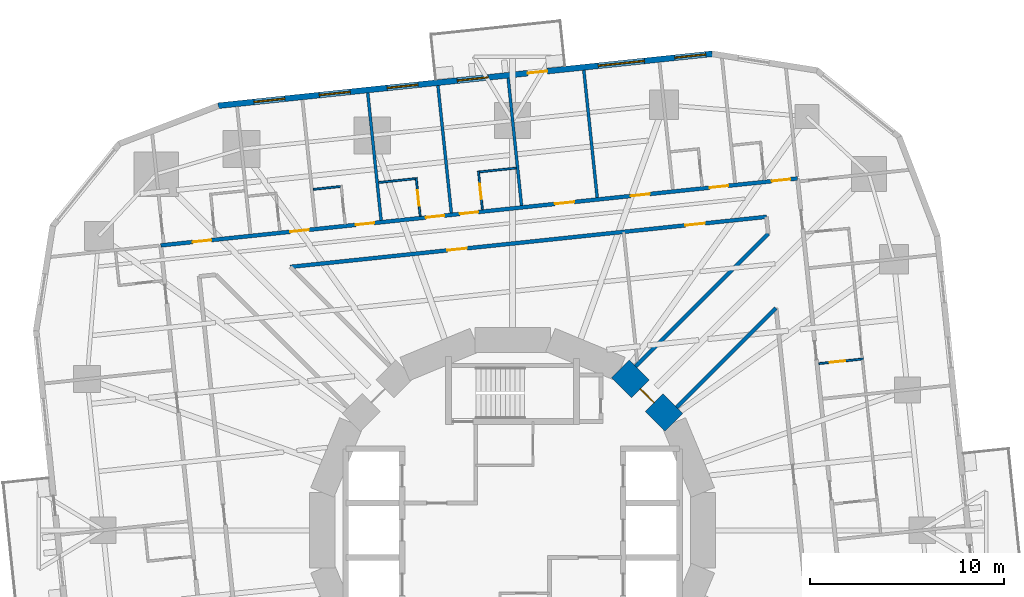
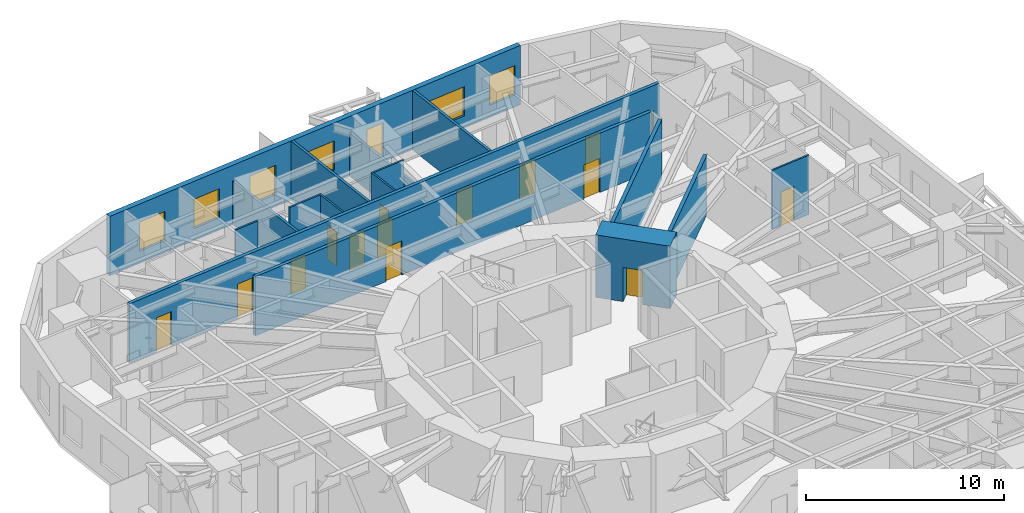
# One storey, part 10 of 13: 16 doors, 16 walls, 6 windows, 22 openings.
"""IFC4 building model written with IfcOpenShell, lengths in metres."""

from ifc_helpers import new_model, si_unit, direction, frame, frame_2d, origin, place, context, subcontext, project, spatial, rectangle, extrude, material, layer, layer_set, type_object, element, fill, save


model = new_model("IFC4")

# Units and contexts
model_context = context("Model", 3, precision=1e-05, world=origin(), true_north=direction((0.0, 1.0)))
body_context = subcontext(model_context, "Body", "Model", "MODEL_VIEW")
ifc_project = project(units=[si_unit("LENGTHUNIT", "METRE"), si_unit("AREAUNIT", "SQUARE_METRE"), si_unit("VOLUMEUNIT", "CUBIC_METRE"), si_unit("PLANEANGLEUNIT", "RADIAN"), si_unit("MASSUNIT", "GRAM", prefix="KILO")], contexts=[model_context])

# Site, building, storey
site_placement = place(None, origin())
site = spatial("IfcSite", under=ifc_project, at=site_placement, CompositionType="ELEMENT")
building_placement = place(site_placement, origin())
building = spatial("IfcBuilding", under=site, at=building_placement, Name="Nakasero Lantern House", CompositionType="ELEMENT")
storey_placement = place(building_placement, frame((0.0, 0.0, 75.89990234375)))
storey = spatial("IfcBuildingStorey", under=building, at=storey_placement, Name="L18", CompositionType="ELEMENT", Elevation=75.89990234375)

# Wall, opening, door
ifc_material_1 = material(Name="Concrete C50/60", Category="concrete")
ifc_layer_1 = layer(ifc_material_1, 1.300048828125)
ifc_layer_set_1 = layer_set([ifc_layer_1], Name="Core wall 1300")
wall_type_1 = type_object("IfcWallType", Name="Core wall 1300", PredefinedType="SHEAR", material=ifc_layer_set_1)
wall_1_placement = place(storey_placement, frame((8.314697265625, 5.5556640625, 0.0), z_axis=(0.0, 0.0, 1.0), x_axis=(-0.707106781187, 0.707106781187, 0.0)))
wall_1 = element("IfcWall", 1, at=wall_1_placement, inside=storey, type_object=wall_type_1, Name="Core wall L18 facet 2", PredefinedType="SHEAR", context=body_context, shape_type="SweptSolid", body=[
    extrude(rectangle(XDim=3.90185546875, YDim=1.300048828125, at=frame_2d((1.950927734375, 0.0))), origin(), (0.0, 0.0, 1.0), 3.85009765625),
])
opening_1_placement = place(wall_1_placement, frame((1.450927734375, 0.0, 0.0)))
opening_1 = element("IfcOpeningElement", 2, at=opening_1_placement, cuts=wall_1, Name="Opening D05", PredefinedType="OPENING", context=body_context, shape_type="SweptSolid", body=[
    extrude(rectangle(XDim=1.0, YDim=2.10009765625, at=frame_2d((0.5, 1.050048828125))), frame((0.0, 0.669921875, 0.0), z_axis=(0.0, -1.0, 0.0), x_axis=(1.0, 0.0, 0.0)), (0.0, 0.0, 1.0), 1.340087890625),
])
ifc_material_2 = material(Name="Timber C24", Category="wood")
door_type_1 = type_object("IfcDoorType", Name="Core door FD60S 1000", OperationType="SINGLE_SWING_LEFT", PredefinedType="DOOR", material=ifc_material_2)
door_1_placement = place(opening_1_placement, origin())
door_1 = element("IfcDoor", 3, at=door_1_placement, inside=storey, type_object=door_type_1, Name="Door L18 D-CORE02", OperationType="SINGLE_SWING_LEFT", OverallHeight=2.10009765625, OverallWidth=1.0, PredefinedType="DOOR", context=body_context, shape_type="SweptSolid", body=[
    extrude(rectangle(XDim=1.0, YDim=2.10009765625, at=frame_2d((0.5, 1.050048828125))), frame((0.0, 0.02490234375, 0.0), z_axis=(0.0, -1.0, 0.0), x_axis=(1.0, 0.0, 0.0)), (0.0, 0.0, 1.0), 0.050048828125),
])
fill(opening_1, door_1)

# Wall, openings, doors
ifc_material_3 = material(Name="Blockwork", Category="masonry")
ifc_layer_2 = layer(ifc_material_3, 0.199951171875)
ifc_layer_set_2 = layer_set([ifc_layer_2], Name="Corridor wall 200")
wall_type_2 = type_object("IfcWallType", Name="Corridor wall 200", PredefinedType="PARTITIONING", material=ifc_layer_set_2)
wall_2_placement = place(storey_placement, frame((14.684814453125, 18.13427734375, 0.0), z_axis=(0.0, 0.0, 1.0), x_axis=(-0.994521777723, -0.10452958258, 0.0)))
wall_2 = element("IfcWall", 4, at=wall_2_placement, inside=storey, type_object=wall_type_2, Name="Corridor wall L18 CW1", PredefinedType="PARTITIONING", context=body_context, shape_type="SweptSolid", body=[
    extrude(rectangle(XDim=32.999755859375, YDim=0.199951171875, at=frame_2d((16.5, 0.0))), origin(), (0.0, 0.0, 1.0), 3.650146484375),
])
opening_2_placement = place(wall_2_placement, frame((0.375, 0.0, 0.0)))
opening_2 = element("IfcOpeningElement", 5, at=opening_2_placement, cuts=wall_2, Name="Opening D01", PredefinedType="OPENING", context=body_context, shape_type="SweptSolid", body=[
    extrude(rectangle(XDim=0.949951171875, YDim=2.10009765625, at=frame_2d((0.47509765625, 1.050048828125))), frame((0.0, 0.119873046875, 0.0), z_axis=(0.0, -1.0, 0.0), x_axis=(1.0, 0.0, 0.0)), (0.0, 0.0, 1.0), 0.239990234375),
])
opening_3_placement = place(wall_2_placement, frame((3.600341796875, 0.0, 0.0)))
opening_3 = element("IfcOpeningElement", 6, at=opening_3_placement, cuts=wall_2, Name="Opening D01", PredefinedType="OPENING", context=body_context, shape_type="SweptSolid", body=[
    extrude(rectangle(XDim=0.949951171875, YDim=2.10009765625, at=frame_2d((0.47509765625, 1.050048828125))), frame((0.0, 0.119873046875, 0.0), z_axis=(0.0, -1.0, 0.0), x_axis=(1.0, 0.0, 0.0)), (0.0, 0.0, 1.0), 0.239990234375),
])
opening_4_placement = place(wall_2_placement, frame((16.542724609375, 0.0, 0.0)))
opening_4 = element("IfcOpeningElement", 7, at=opening_4_placement, cuts=wall_2, Name="Opening D01", PredefinedType="OPENING", context=body_context, shape_type="SweptSolid", body=[
    extrude(rectangle(XDim=0.949951171875, YDim=2.10009765625, at=frame_2d((0.47509765625, 1.050048828125))), frame((0.0, 0.119873046875, 0.0), z_axis=(0.0, -1.0, 0.0), x_axis=(1.0, 0.0, 0.0)), (0.0, 0.0, 1.0), 0.239990234375),
])
opening_5_placement = place(wall_2_placement, frame((18.306396484375, 0.0, 0.0)))
opening_5 = element("IfcOpeningElement", 8, at=opening_5_placement, cuts=wall_2, Name="Opening D01", PredefinedType="OPENING", context=body_context, shape_type="SweptSolid", body=[
    extrude(rectangle(XDim=0.949951171875, YDim=2.10009765625, at=frame_2d((0.47509765625, 1.050048828125))), frame((0.0, 0.119873046875, 0.0), z_axis=(0.0, -1.0, 0.0), x_axis=(1.0, 0.0, 0.0)), (0.0, 0.0, 1.0), 0.239990234375),
])
opening_6_placement = place(wall_2_placement, frame((21.945068359375, 0.0, 0.0)))
opening_6 = element("IfcOpeningElement", 9, at=opening_6_placement, cuts=wall_2, Name="Opening D01", PredefinedType="OPENING", context=body_context, shape_type="SweptSolid", body=[
    extrude(rectangle(XDim=0.949951171875, YDim=2.10009765625, at=frame_2d((0.47509765625, 1.050048828125))), frame((0.0, 0.119873046875, 0.0), z_axis=(0.0, -1.0, 0.0), x_axis=(1.0, 0.0, 0.0)), (0.0, 0.0, 1.0), 0.239990234375),
])
opening_7_placement = place(wall_2_placement, frame((25.33056640625, 0.0, 0.0)))
opening_7 = element("IfcOpeningElement", 10, at=opening_7_placement, cuts=wall_2, Name="Opening D01", PredefinedType="OPENING", context=body_context, shape_type="SweptSolid", body=[
    extrude(rectangle(XDim=0.949951171875, YDim=2.10009765625, at=frame_2d((0.47509765625, 1.050048828125))), frame((0.0, 0.119873046875, 0.0), z_axis=(0.0, -1.0, 0.0), x_axis=(1.0, 0.0, 0.0)), (0.0, 0.0, 1.0), 0.239990234375),
])
opening_8_placement = place(wall_2_placement, frame((30.39111328125, 0.0, 0.0)))
opening_8 = element("IfcOpeningElement", 11, at=opening_8_placement, cuts=wall_2, Name="Opening D01", PredefinedType="OPENING", context=body_context, shape_type="SweptSolid", body=[
    extrude(rectangle(XDim=0.949951171875, YDim=2.10009765625, at=frame_2d((0.47509765625, 1.050048828125))), frame((0.0, 0.119873046875, 0.0), z_axis=(0.0, -1.0, 0.0), x_axis=(1.0, 0.0, 0.0)), (0.0, 0.0, 1.0), 0.239990234375),
])
opening_9_placement = place(wall_2_placement, frame((7.650634765625, 0.0, 0.0)))
opening_9 = element("IfcOpeningElement", 12, at=opening_9_placement, cuts=wall_2, Name="Opening D03", PredefinedType="OPENING", context=body_context, shape_type="SweptSolid", body=[
    extrude(rectangle(XDim=1.0, YDim=2.10009765625, at=frame_2d((0.5, 1.050048828125))), frame((0.0, 0.119873046875, 0.0), z_axis=(0.0, -1.0, 0.0), x_axis=(1.0, 0.0, 0.0)), (0.0, 0.0, 1.0), 0.239990234375),
])
opening_10_placement = place(wall_2_placement, frame((11.57177734375, 0.0, 0.0)))
opening_10 = element("IfcOpeningElement", 13, at=opening_10_placement, cuts=wall_2, Name="Opening D03", PredefinedType="OPENING", context=body_context, shape_type="SweptSolid", body=[
    extrude(rectangle(XDim=1.0, YDim=2.10009765625, at=frame_2d((0.5, 1.050048828125))), frame((0.0, 0.119873046875, 0.0), z_axis=(0.0, -1.0, 0.0), x_axis=(1.0, 0.0, 0.0)), (0.0, 0.0, 1.0), 0.239990234375),
])
ifc_material_4 = material(Name="Timber C24", Category="wood")
door_type_2 = type_object("IfcDoorType", Name="Bedroom door FD30S 950", OperationType="SINGLE_SWING_LEFT", PredefinedType="DOOR", material=ifc_material_4)
door_2_placement = place(opening_2_placement, origin())
door_2 = element("IfcDoor", 14, at=door_2_placement, inside=storey, type_object=door_type_2, Name="Door L18 D1-00", OperationType="SINGLE_SWING_LEFT", OverallHeight=2.10009765625, OverallWidth=0.949951171875, PredefinedType="DOOR", context=body_context, shape_type="SweptSolid", body=[
    extrude(rectangle(XDim=0.949951171875, YDim=2.10009765625, at=frame_2d((0.47509765625, 1.050048828125))), frame((0.0, 0.02490234375, 0.0), z_axis=(0.0, -1.0, 0.0), x_axis=(1.0, 0.0, 0.0)), (0.0, 0.0, 1.0), 0.050048828125),
])
fill(opening_2, door_2)
door_3_placement = place(opening_3_placement, origin())
door_3 = element("IfcDoor", 15, at=door_3_placement, inside=storey, type_object=door_type_2, Name="Door L18 D1-01", OperationType="SINGLE_SWING_LEFT", OverallHeight=2.10009765625, OverallWidth=0.949951171875, PredefinedType="DOOR", context=body_context, shape_type="SweptSolid", body=[
    extrude(rectangle(XDim=0.949951171875, YDim=2.10009765625, at=frame_2d((0.47509765625, 1.050048828125))), frame((0.0, 0.02490234375, 0.0), z_axis=(0.0, -1.0, 0.0), x_axis=(1.0, 0.0, 0.0)), (0.0, 0.0, 1.0), 0.050048828125),
])
fill(opening_3, door_3)
door_4_placement = place(opening_4_placement, origin())
door_4 = element("IfcDoor", 16, at=door_4_placement, inside=storey, type_object=door_type_2, Name="Door L18 D1-04", OperationType="SINGLE_SWING_RIGHT", OverallHeight=2.10009765625, OverallWidth=0.949951171875, PredefinedType="DOOR", context=body_context, shape_type="SweptSolid", body=[
    extrude(rectangle(XDim=0.949951171875, YDim=2.10009765625, at=frame_2d((0.47509765625, 1.050048828125))), frame((0.0, 0.02490234375, 0.0), z_axis=(0.0, -1.0, 0.0), x_axis=(1.0, 0.0, 0.0)), (0.0, 0.0, 1.0), 0.050048828125),
])
fill(opening_4, door_4)
door_5_placement = place(opening_5_placement, origin())
door_5 = element("IfcDoor", 17, at=door_5_placement, inside=storey, type_object=door_type_2, Name="Door L18 D1-05", OperationType="SINGLE_SWING_RIGHT", OverallHeight=2.10009765625, OverallWidth=0.949951171875, PredefinedType="DOOR", context=body_context, shape_type="SweptSolid", body=[
    extrude(rectangle(XDim=0.949951171875, YDim=2.10009765625, at=frame_2d((0.47509765625, 1.050048828125))), frame((0.0, 0.02490234375, 0.0), z_axis=(0.0, -1.0, 0.0), x_axis=(1.0, 0.0, 0.0)), (0.0, 0.0, 1.0), 0.050048828125),
])
fill(opening_5, door_5)
door_6_placement = place(opening_6_placement, origin())
door_6 = element("IfcDoor", 18, at=door_6_placement, inside=storey, type_object=door_type_2, Name="Door L18 D1-06", OperationType="SINGLE_SWING_RIGHT", OverallHeight=2.10009765625, OverallWidth=0.949951171875, PredefinedType="DOOR", context=body_context, shape_type="SweptSolid", body=[
    extrude(rectangle(XDim=0.949951171875, YDim=2.10009765625, at=frame_2d((0.47509765625, 1.050048828125))), frame((0.0, 0.02490234375, 0.0), z_axis=(0.0, -1.0, 0.0), x_axis=(1.0, 0.0, 0.0)), (0.0, 0.0, 1.0), 0.050048828125),
])
fill(opening_6, door_6)
door_7_placement = place(opening_7_placement, origin())
door_7 = element("IfcDoor", 19, at=door_7_placement, inside=storey, type_object=door_type_2, Name="Door L18 D1-07", OperationType="SINGLE_SWING_RIGHT", OverallHeight=2.10009765625, OverallWidth=0.949951171875, PredefinedType="DOOR", context=body_context, shape_type="SweptSolid", body=[
    extrude(rectangle(XDim=0.949951171875, YDim=2.10009765625, at=frame_2d((0.47509765625, 1.050048828125))), frame((0.0, 0.02490234375, 0.0), z_axis=(0.0, -1.0, 0.0), x_axis=(1.0, 0.0, 0.0)), (0.0, 0.0, 1.0), 0.050048828125),
])
fill(opening_7, door_7)
door_8_placement = place(opening_8_placement, origin())
door_8 = element("IfcDoor", 20, at=door_8_placement, inside=storey, type_object=door_type_2, Name="Door L18 D1-08", OperationType="SINGLE_SWING_RIGHT", OverallHeight=2.10009765625, OverallWidth=0.949951171875, PredefinedType="DOOR", context=body_context, shape_type="SweptSolid", body=[
    extrude(rectangle(XDim=0.949951171875, YDim=2.10009765625, at=frame_2d((0.47509765625, 1.050048828125))), frame((0.0, 0.02490234375, 0.0), z_axis=(0.0, -1.0, 0.0), x_axis=(1.0, 0.0, 0.0)), (0.0, 0.0, 1.0), 0.050048828125),
])
fill(opening_8, door_8)
ifc_material_5 = material(Name="Timber C24", Category="wood")
door_type_3 = type_object("IfcDoorType", Name="Lounge door FD30S 1000", OperationType="SINGLE_SWING_LEFT", PredefinedType="DOOR", material=ifc_material_5)
door_9_placement = place(opening_9_placement, origin())
door_9 = element("IfcDoor", 21, at=door_9_placement, inside=storey, type_object=door_type_3, Name="Door L18 DK1", OperationType="SINGLE_SWING_LEFT", OverallHeight=2.10009765625, OverallWidth=1.0, PredefinedType="DOOR", context=body_context, shape_type="SweptSolid", body=[
    extrude(rectangle(XDim=1.0, YDim=2.10009765625, at=frame_2d((0.5, 1.050048828125))), frame((0.0, 0.02490234375, 0.0), z_axis=(0.0, -1.0, 0.0), x_axis=(1.0, 0.0, 0.0)), (0.0, 0.0, 1.0), 0.050048828125),
])
fill(opening_9, door_9)
door_10_placement = place(opening_10_placement, origin())
door_10 = element("IfcDoor", 22, at=door_10_placement, inside=storey, type_object=door_type_3, Name="Door L18 DK1-1", OperationType="SINGLE_SWING_LEFT", OverallHeight=2.10009765625, OverallWidth=1.0, PredefinedType="DOOR", context=body_context, shape_type="SweptSolid", body=[
    extrude(rectangle(XDim=1.0, YDim=2.10009765625, at=frame_2d((0.5, 1.050048828125))), frame((0.0, 0.02490234375, 0.0), z_axis=(0.0, -1.0, 0.0), x_axis=(1.0, 0.0, 0.0)), (0.0, 0.0, 1.0), 0.050048828125),
])
fill(opening_10, door_10)

wall_3_placement = place(storey_placement, frame((13.0830078125, 16.156005859375, 0.0), z_axis=(0.0, 0.0, 1.0), x_axis=(-0.994521922819, -0.104528202096, 0.0)))
wall_3 = element("IfcWall", 23, at=wall_3_placement, inside=storey, type_object=wall_type_2, Name="Corridor wall L18 IW1-0", PredefinedType="PARTITIONING", context=body_context, shape_type="SweptSolid", body=[
    extrude(rectangle(XDim=24.673828125, YDim=0.199951171875, at=frame_2d((12.3369140625, 0.0))), origin(), (0.0, 0.0, 1.0), 3.650146484375),
])
opening_11_placement = place(wall_3_placement, frame((3.201171875, 0.0, 0.0)))
opening_11 = element("IfcOpeningElement", 24, at=opening_11_placement, cuts=wall_3, Name="Opening D07", PredefinedType="OPENING", context=body_context, shape_type="SweptSolid", body=[
    extrude(rectangle(XDim=1.0, YDim=2.10009765625, at=frame_2d((0.5, 1.050048828125))), frame((0.0, 0.119873046875, 0.0), z_axis=(0.0, -1.0, 0.0), x_axis=(1.0, 0.0, 0.0)), (0.0, 0.0, 1.0), 0.239990234375),
])
opening_12_placement = place(wall_3_placement, frame((15.537841796875, 0.0, 0.0)))
opening_12 = element("IfcOpeningElement", 25, at=opening_12_placement, cuts=wall_3, Name="Opening D07", PredefinedType="OPENING", context=body_context, shape_type="SweptSolid", body=[
    extrude(rectangle(XDim=1.0, YDim=2.10009765625, at=frame_2d((0.5, 1.050048828125))), frame((0.0, 0.119873046875, 0.0), z_axis=(0.0, -1.0, 0.0), x_axis=(1.0, 0.0, 0.0)), (0.0, 0.0, 1.0), 0.239990234375),
])
ifc_material_6 = material(Name="Timber C24", Category="wood")
door_type_4 = type_object("IfcDoorType", Name="Room door FD30S 1000", OperationType="SINGLE_SWING_LEFT", PredefinedType="DOOR", material=ifc_material_6)
door_11_placement = place(opening_11_placement, origin())
door_11 = element("IfcDoor", 26, at=door_11_placement, inside=storey, type_object=door_type_4, Name="Door L18 DI3", OperationType="SINGLE_SWING_LEFT", OverallHeight=2.10009765625, OverallWidth=1.0, PredefinedType="DOOR", context=body_context, shape_type="SweptSolid", body=[
    extrude(rectangle(XDim=1.0, YDim=2.10009765625, at=frame_2d((0.5, 1.050048828125))), frame((0.0, 0.02490234375, 0.0), z_axis=(0.0, -1.0, 0.0), x_axis=(1.0, 0.0, 0.0)), (0.0, 0.0, 1.0), 0.050048828125),
])
fill(opening_11, door_11)
door_12_placement = place(opening_12_placement, origin())
door_12 = element("IfcDoor", 27, at=door_12_placement, inside=storey, type_object=door_type_4, Name="Door L18 DI3S", OperationType="SINGLE_SWING_RIGHT", OverallHeight=2.10009765625, OverallWidth=1.0, PredefinedType="DOOR", context=body_context, shape_type="SweptSolid", body=[
    extrude(rectangle(XDim=1.0, YDim=2.10009765625, at=frame_2d((0.5, 1.050048828125))), frame((0.0, 0.02490234375, 0.0), z_axis=(0.0, -1.0, 0.0), x_axis=(1.0, 0.0, 0.0)), (0.0, 0.0, 1.0), 0.050048828125),
])
fill(opening_12, door_12)

# Walls
wall_4_placement = place(storey_placement, frame((6.334228515625, 8.45556640625, 0.0), z_axis=(0.0, 0.0, 1.0), x_axis=(0.707106781187, 0.707106781187, 0.0)))
element("IfcWall", 28, at=wall_4_placement, inside=storey, type_object=wall_type_2, Name="Corridor wall L18 PS02a", PredefinedType="PARTITIONING", context=body_context, shape_type="SweptSolid", body=[
    extrude(rectangle(XDim=9.671875, YDim=0.199951171875, at=frame_2d((4.8359375, 0.0))), origin(), (0.0, 0.0, 1.0), 3.650146484375),
])
wall_5_placement = place(storey_placement, frame((8.45556640625, 6.334228515625, 0.0), z_axis=(0.0, 0.0, 1.0), x_axis=(0.707106781187, 0.707106781187, 0.0)))
element("IfcWall", 29, at=wall_5_placement, inside=storey, type_object=wall_type_2, Name="Corridor wall L18 PS02b", PredefinedType="PARTITIONING", context=body_context, shape_type="SweptSolid", body=[
    extrude(rectangle(XDim=7.24267578125, YDim=0.199951171875, at=frame_2d((3.621337890625, 0.0))), origin(), (0.0, 0.0, 1.0), 3.650146484375),
])

# Wall, opening, door
ifc_material_7 = material(Name="Blockwork", Category="masonry")
ifc_layer_3 = layer(ifc_material_7, 0.10009765625)
ifc_layer_set_3 = layer_set([ifc_layer_3], Name="En-suite wall 100")
wall_type_3 = type_object("IfcWallType", Name="En-suite wall 100", PredefinedType="PARTITIONING", material=ifc_layer_set_3)
wall_6_placement = place(storey_placement, frame((15.788330078125, 8.592529296875, 0.0), z_axis=(0.0, 0.0, 1.0), x_axis=(0.994529855142, 0.104452703326, 0.0)))
wall_6 = element("IfcWall", 30, at=wall_6_placement, inside=storey, type_object=wall_type_3, Name="En-suite wall L18 ES0-06", PredefinedType="PARTITIONING", context=body_context, shape_type="SweptSolid", body=[
    extrude(rectangle(XDim=2.300048828125, YDim=0.10009765625, at=frame_2d((1.14990234375, 0.0))), origin(), (0.0, 0.0, 1.0), 3.650146484375),
])
opening_13_placement = place(wall_6_placement, frame((0.550048828125, 0.0, 0.0)))
opening_13 = element("IfcOpeningElement", 31, at=opening_13_placement, cuts=wall_6, Name="Opening D02", PredefinedType="OPENING", context=body_context, shape_type="SweptSolid", body=[
    extrude(rectangle(XDim=0.800048828125, YDim=2.10009765625, at=frame_2d((0.39990234375, 1.050048828125))), frame((0.0, 0.070068359375, 0.0), z_axis=(0.0, -1.0, 0.0), x_axis=(1.0, 0.0, 0.0)), (0.0, 0.0, 1.0), 0.14013671875),
])
ifc_material_8 = material(Name="Timber C24", Category="wood")
door_type_5 = type_object("IfcDoorType", Name="En-suite door 800", OperationType="SINGLE_SWING_RIGHT", PredefinedType="DOOR", material=ifc_material_8)
door_13_placement = place(opening_13_placement, origin())
door_13 = element("IfcDoor", 32, at=door_13_placement, inside=storey, type_object=door_type_5, Name="Door L18 DE0-06", OperationType="SINGLE_SWING_LEFT", OverallHeight=2.10009765625, OverallWidth=0.800048828125, PredefinedType="DOOR", context=body_context, shape_type="SweptSolid", body=[
    extrude(rectangle(XDim=0.800048828125, YDim=2.10009765625, at=frame_2d((0.39990234375, 1.050048828125))), frame((0.0, 0.02490234375, 0.0), z_axis=(0.0, -1.0, 0.0), x_axis=(1.0, 0.0, 0.0)), (0.0, 0.0, 1.0), 0.050048828125),
])
fill(opening_13, door_13)

wall_7_placement = place(storey_placement, frame((-1.553955078125, 16.528076171875, 0.0), z_axis=(0.0, 0.0, 1.0), x_axis=(-0.104494148666, 0.99452550138, 0.0)))
wall_7 = element("IfcWall", 33, at=wall_7_placement, inside=storey, type_object=wall_type_3, Name="En-suite wall L18 ES1-04", PredefinedType="PARTITIONING", context=body_context, shape_type="SweptSolid", body=[
    extrude(rectangle(XDim=2.0, YDim=0.10009765625, at=frame_2d((1.0, 0.0))), origin(), (0.0, 0.0, 1.0), 3.650146484375),
])
opening_14_placement = place(wall_7_placement, frame((0.550048828125, 0.0, 0.0)))
opening_14 = element("IfcOpeningElement", 34, at=opening_14_placement, cuts=wall_7, Name="Opening D02", PredefinedType="OPENING", context=body_context, shape_type="SweptSolid", body=[
    extrude(rectangle(XDim=0.800048828125, YDim=2.10009765625, at=frame_2d((0.39990234375, 1.050048828125))), frame((0.0, 0.070068359375, 0.0), z_axis=(0.0, -1.0, 0.0), x_axis=(1.0, 0.0, 0.0)), (0.0, 0.0, 1.0), 0.14013671875),
])
door_14_placement = place(opening_14_placement, origin())
door_14 = element("IfcDoor", 35, at=door_14_placement, inside=storey, type_object=door_type_5, Name="Door L18 DE1-04", OperationType="SINGLE_SWING_LEFT", OverallHeight=2.10009765625, OverallWidth=0.800048828125, PredefinedType="DOOR", context=body_context, shape_type="SweptSolid", body=[
    extrude(rectangle(XDim=0.800048828125, YDim=2.10009765625, at=frame_2d((0.39990234375, 1.050048828125))), frame((0.0, 0.02490234375, 0.0), z_axis=(0.0, -1.0, 0.0), x_axis=(1.0, 0.0, 0.0)), (0.0, 0.0, 1.0), 0.050048828125),
])
fill(opening_14, door_14)

# Wall
wall_8_placement = place(storey_placement, frame((0.181396484375, 18.671142578125, 0.0), z_axis=(0.0, 0.0, 1.0), x_axis=(-0.994527260141, -0.104477408256, 0.0)))
element("IfcWall", 36, at=wall_8_placement, inside=storey, type_object=wall_type_3, Name="En-suite wall L18 EE1-04", PredefinedType="PARTITIONING", context=body_context, shape_type="SweptSolid", body=[
    extrude(rectangle(XDim=1.89990234375, YDim=0.10009765625, at=frame_2d((0.949951171875, 0.0))), origin(), (0.0, 0.0, 1.0), 3.650146484375),
])

# Wall, opening, door
wall_9_placement = place(storey_placement, frame((-4.763427734375, 16.190673828125, 0.0), z_axis=(0.0, 0.0, 1.0), x_axis=(-0.104602187203, 0.994514143908, 0.0)))
wall_9 = element("IfcWall", 37, at=wall_9_placement, inside=storey, type_object=wall_type_3, Name="En-suite wall L18 ES1-05", PredefinedType="PARTITIONING", context=body_context, shape_type="SweptSolid", body=[
    extrude(rectangle(XDim=2.000244140625, YDim=0.10009765625, at=frame_2d((1.0, 0.0))), origin(), (0.0, 0.0, 1.0), 3.650146484375),
])
opening_15_placement = place(wall_9_placement, frame((0.550048828125, 0.0, 0.0)))
opening_15 = element("IfcOpeningElement", 38, at=opening_15_placement, cuts=wall_9, Name="Opening D02", PredefinedType="OPENING", context=body_context, shape_type="SweptSolid", body=[
    extrude(rectangle(XDim=0.800048828125, YDim=2.10009765625, at=frame_2d((0.39990234375, 1.050048828125))), frame((0.0, 0.070068359375, 0.0), z_axis=(0.0, -1.0, 0.0), x_axis=(1.0, 0.0, 0.0)), (0.0, 0.0, 1.0), 0.14013671875),
])
door_15_placement = place(opening_15_placement, origin())
door_15 = element("IfcDoor", 39, at=door_15_placement, inside=storey, type_object=door_type_5, Name="Door L18 DE1-05", OperationType="SINGLE_SWING_LEFT", OverallHeight=2.10009765625, OverallWidth=0.800048828125, PredefinedType="DOOR", context=body_context, shape_type="SweptSolid", body=[
    extrude(rectangle(XDim=0.800048828125, YDim=2.10009765625, at=frame_2d((0.39990234375, 1.050048828125))), frame((0.0, 0.02490234375, 0.0), z_axis=(0.0, -1.0, 0.0), x_axis=(1.0, 0.0, 0.0)), (0.0, 0.0, 1.0), 0.050048828125),
])
fill(opening_15, door_15)

# Walls
wall_10_placement = place(storey_placement, frame((-5.01708984375, 18.124755859375, 0.0), z_axis=(0.0, 0.0, 1.0), x_axis=(-0.994528662611, -0.104464057197, 0.0)))
element("IfcWall", 40, at=wall_10_placement, inside=storey, type_object=wall_type_3, Name="En-suite wall L18 EE1-05", PredefinedType="PARTITIONING", context=body_context, shape_type="SweptSolid", body=[
    extrude(rectangle(XDim=1.900146484375, YDim=0.10009765625, at=frame_2d((0.9501953125, 0.0))), origin(), (0.0, 0.0, 1.0), 3.650146484375),
])
wall_11_placement = place(storey_placement, frame((-8.88134765625, 17.71875, 0.0), z_axis=(0.0, 0.0, 1.0), x_axis=(-0.994511184598, -0.104630319263, 0.0)))
element("IfcWall", 41, at=wall_11_placement, inside=storey, type_object=wall_type_3, Name="En-suite wall L18 EE1-06", PredefinedType="PARTITIONING", context=body_context, shape_type="SweptSolid", body=[
    extrude(rectangle(XDim=1.39990234375, YDim=0.10009765625, at=frame_2d((0.699951171875, 0.0))), origin(), (0.0, 0.0, 1.0), 3.650146484375),
])

# Wall, openings, door, windows
ifc_material_9 = material(Name="Aluminium rainscreen on blockwork", Category="masonry")
ifc_layer_4 = layer(ifc_material_9, 0.300048828125)
ifc_layer_set_4 = layer_set([ifc_layer_4], Name="Facade wall 300")
wall_type_4 = type_object("IfcWallType", Name="Facade wall 300", PredefinedType="SOLIDWALL", material=ifc_layer_set_4)
wall_12_placement = place(storey_placement, frame((10.2890625, 24.56005859375, 0.0), z_axis=(0.0, 0.0, 1.0), x_axis=(-0.994521483895, -0.104532378096, 0.0)))
wall_12 = element("IfcWall", 42, at=wall_12_placement, inside=storey, type_object=wall_type_4, Name="Facade wall L18 FW1S", PredefinedType="SOLIDWALL", context=body_context, shape_type="SweptSolid", body=[
    extrude(rectangle(XDim=25.599853515625, YDim=0.300048828125, at=frame_2d((12.7998046875, 0.0))), origin(), (0.0, 0.0, 1.0), 3.650146484375),
])
opening_16_placement = place(wall_12_placement, frame((0.337890625, 0.0, 0.75)))
opening_16 = element("IfcOpeningElement", 43, at=opening_16_placement, cuts=wall_12, Name="Opening W01", PredefinedType="OPENING", context=body_context, shape_type="SweptSolid", body=[
    extrude(rectangle(XDim=1.60009765625, YDim=1.800048828125, at=frame_2d((0.800048828125, 0.89990234375))), frame((0.0, 0.169921875, 0.0), z_axis=(0.0, -1.0, 0.0), x_axis=(1.0, 0.0, 0.0)), (0.0, 0.0, 1.0), 0.340087890625),
])
opening_17_placement = place(wall_12_placement, frame((11.612060546875, 0.0, 0.75)))
opening_17 = element("IfcOpeningElement", 44, at=opening_17_placement, cuts=wall_12, Name="Opening W01", PredefinedType="OPENING", context=body_context, shape_type="SweptSolid", body=[
    extrude(rectangle(XDim=1.60009765625, YDim=1.800048828125, at=frame_2d((0.800048828125, 0.89990234375))), frame((0.0, 0.169921875, 0.0), z_axis=(0.0, -1.0, 0.0), x_axis=(1.0, 0.0, 0.0)), (0.0, 0.0, 1.0), 0.340087890625),
])
opening_18_placement = place(wall_12_placement, frame((15.250732421875, 0.0, 0.75)))
opening_18 = element("IfcOpeningElement", 45, at=opening_18_placement, cuts=wall_12, Name="Opening W01", PredefinedType="OPENING", context=body_context, shape_type="SweptSolid", body=[
    extrude(rectangle(XDim=1.60009765625, YDim=1.800048828125, at=frame_2d((0.800048828125, 0.89990234375))), frame((0.0, 0.169921875, 0.0), z_axis=(0.0, -1.0, 0.0), x_axis=(1.0, 0.0, 0.0)), (0.0, 0.0, 1.0), 0.340087890625),
])
opening_19_placement = place(wall_12_placement, frame((18.7626953125, 0.0, 0.75)))
opening_19 = element("IfcOpeningElement", 46, at=opening_19_placement, cuts=wall_12, Name="Opening W01", PredefinedType="OPENING", context=body_context, shape_type="SweptSolid", body=[
    extrude(rectangle(XDim=1.60009765625, YDim=1.800048828125, at=frame_2d((0.800048828125, 0.89990234375))), frame((0.0, 0.169921875, 0.0), z_axis=(0.0, -1.0, 0.0), x_axis=(1.0, 0.0, 0.0)), (0.0, 0.0, 1.0), 0.340087890625),
])
opening_20_placement = place(wall_12_placement, frame((22.1484375, 0.0, 0.75)))
opening_20 = element("IfcOpeningElement", 47, at=opening_20_placement, cuts=wall_12, Name="Opening W01", PredefinedType="OPENING", context=body_context, shape_type="SweptSolid", body=[
    extrude(rectangle(XDim=1.60009765625, YDim=1.800048828125, at=frame_2d((0.800048828125, 0.89990234375))), frame((0.0, 0.169921875, 0.0), z_axis=(0.0, -1.0, 0.0), x_axis=(1.0, 0.0, 0.0)), (0.0, 0.0, 1.0), 0.340087890625),
])
opening_21_placement = place(wall_12_placement, frame((3.51123046875, 0.0, 0.75)))
opening_21 = element("IfcOpeningElement", 48, at=opening_21_placement, cuts=wall_12, Name="Opening W03", PredefinedType="OPENING", context=body_context, shape_type="SweptSolid", body=[
    extrude(rectangle(XDim=2.39990234375, YDim=1.800048828125, at=frame_2d((1.199951171875, 0.89990234375))), frame((0.0, 0.169921875, 0.0), z_axis=(0.0, -1.0, 0.0), x_axis=(1.0, 0.0, 0.0)), (0.0, 0.0, 1.0), 0.340087890625),
])
opening_22_placement = place(wall_12_placement, frame((8.558837890625, 0.0, 0.0)))
opening_22 = element("IfcOpeningElement", 49, at=opening_22_placement, cuts=wall_12, Name="Opening D04", PredefinedType="OPENING", context=body_context, shape_type="SweptSolid", body=[
    extrude(rectangle(XDim=1.0, YDim=2.39990234375, at=frame_2d((0.5, 1.199951171875))), frame((0.0, 0.169921875, 0.0), z_axis=(0.0, -1.0, 0.0), x_axis=(1.0, 0.0, 0.0)), (0.0, 0.0, 1.0), 0.340087890625),
])
ifc_material_10 = material(Name="Aluminium 6063-T6 and glass", Category="aluminium")
door_type_6 = type_object("IfcDoorType", Name="Balcony door 1000x2400", OperationType="SINGLE_SWING_RIGHT", PredefinedType="DOOR", material=ifc_material_10)
door_16_placement = place(opening_22_placement, origin())
door_16 = element("IfcDoor", 50, at=door_16_placement, inside=storey, type_object=door_type_6, Name="Balcony door L18 DB1", OperationType="SINGLE_SWING_RIGHT", OverallHeight=2.39990234375, OverallWidth=1.0, PredefinedType="DOOR", context=body_context, shape_type="SweptSolid", body=[
    extrude(rectangle(XDim=1.0, YDim=2.39990234375, at=frame_2d((0.5, 1.199951171875))), frame((0.0, 0.02490234375, 0.0), z_axis=(0.0, -1.0, 0.0), x_axis=(1.0, 0.0, 0.0)), (0.0, 0.0, 1.0), 0.050048828125),
])
fill(opening_22, door_16)
ifc_material_11 = material(Name="Aluminium 6063-T6 and glass", Category="aluminium")
window_type_1 = type_object("IfcWindowType", Name="Bedroom window 1600x1800", PartitioningType="SINGLE_PANEL", PredefinedType="WINDOW", material=ifc_material_11)
window_1_placement = place(opening_16_placement, origin())
window_1 = element("IfcWindow", 51, at=window_1_placement, inside=storey, type_object=window_type_1, Name="Window L18 WN1-01", OverallHeight=1.800048828125, OverallWidth=1.60009765625, PartitioningType="SINGLE_PANEL", PredefinedType="WINDOW", context=body_context, shape_type="SweptSolid", body=[
    extrude(rectangle(XDim=1.60009765625, YDim=1.800048828125, at=frame_2d((0.800048828125, 0.89990234375))), frame((0.0, 0.030029296875, 0.0), z_axis=(0.0, -1.0, 0.0), x_axis=(1.0, 0.0, 0.0)), (0.0, 0.0, 1.0), 0.06005859375),
])
fill(opening_16, window_1)
window_2_placement = place(opening_17_placement, origin())
window_2 = element("IfcWindow", 52, at=window_2_placement, inside=storey, type_object=window_type_1, Name="Window L18 WN1-04", OverallHeight=1.800048828125, OverallWidth=1.60009765625, PartitioningType="SINGLE_PANEL", PredefinedType="WINDOW", context=body_context, shape_type="SweptSolid", body=[
    extrude(rectangle(XDim=1.60009765625, YDim=1.800048828125, at=frame_2d((0.800048828125, 0.89990234375))), frame((0.0, 0.030029296875, 0.0), z_axis=(0.0, -1.0, 0.0), x_axis=(1.0, 0.0, 0.0)), (0.0, 0.0, 1.0), 0.06005859375),
])
fill(opening_17, window_2)
window_3_placement = place(opening_18_placement, origin())
window_3 = element("IfcWindow", 53, at=window_3_placement, inside=storey, type_object=window_type_1, Name="Window L18 WN1-05", OverallHeight=1.800048828125, OverallWidth=1.60009765625, PartitioningType="SINGLE_PANEL", PredefinedType="WINDOW", context=body_context, shape_type="SweptSolid", body=[
    extrude(rectangle(XDim=1.60009765625, YDim=1.800048828125, at=frame_2d((0.800048828125, 0.89990234375))), frame((0.0, 0.030029296875, 0.0), z_axis=(0.0, -1.0, 0.0), x_axis=(1.0, 0.0, 0.0)), (0.0, 0.0, 1.0), 0.06005859375),
])
fill(opening_18, window_3)
window_4_placement = place(opening_19_placement, origin())
window_4 = element("IfcWindow", 54, at=window_4_placement, inside=storey, type_object=window_type_1, Name="Window L18 WN1-06", OverallHeight=1.800048828125, OverallWidth=1.60009765625, PartitioningType="SINGLE_PANEL", PredefinedType="WINDOW", context=body_context, shape_type="SweptSolid", body=[
    extrude(rectangle(XDim=1.60009765625, YDim=1.800048828125, at=frame_2d((0.800048828125, 0.89990234375))), frame((0.0, 0.030029296875, 0.0), z_axis=(0.0, -1.0, 0.0), x_axis=(1.0, 0.0, 0.0)), (0.0, 0.0, 1.0), 0.06005859375),
])
fill(opening_19, window_4)
window_5_placement = place(opening_20_placement, origin())
window_5 = element("IfcWindow", 55, at=window_5_placement, inside=storey, type_object=window_type_1, Name="Window L18 WN1-07", OverallHeight=1.800048828125, OverallWidth=1.60009765625, PartitioningType="SINGLE_PANEL", PredefinedType="WINDOW", context=body_context, shape_type="SweptSolid", body=[
    extrude(rectangle(XDim=1.60009765625, YDim=1.800048828125, at=frame_2d((0.800048828125, 0.89990234375))), frame((0.0, 0.030029296875, 0.0), z_axis=(0.0, -1.0, 0.0), x_axis=(1.0, 0.0, 0.0)), (0.0, 0.0, 1.0), 0.06005859375),
])
fill(opening_20, window_5)
ifc_material_12 = material(Name="Aluminium 6063-T6 and glass", Category="aluminium")
window_type_2 = type_object("IfcWindowType", Name="Lounge window 2400x1800", PartitioningType="SINGLE_PANEL", PredefinedType="WINDOW", material=ifc_material_12)
window_6_placement = place(opening_21_placement, origin())
window_6 = element("IfcWindow", 56, at=window_6_placement, inside=storey, type_object=window_type_2, Name="Window L18 WK1", OverallHeight=1.800048828125, OverallWidth=2.39990234375, PartitioningType="SINGLE_PANEL", PredefinedType="WINDOW", context=body_context, shape_type="SweptSolid", body=[
    extrude(rectangle(XDim=2.39990234375, YDim=1.800048828125, at=frame_2d((1.199951171875, 0.89990234375))), frame((0.0, 0.030029296875, 0.0), z_axis=(0.0, -1.0, 0.0), x_axis=(1.0, 0.0, 0.0)), (0.0, 0.0, 1.0), 0.06005859375),
])
fill(opening_21, window_6)

# Walls
ifc_material_13 = material(Name="Blockwork", Category="masonry")
ifc_layer_5 = layer(ifc_material_13, 0.14990234375)
ifc_layer_set_5 = layer_set([ifc_layer_5], Name="Party wall 150")
wall_type_5 = type_object("IfcWallType", Name="Party wall 150", PredefinedType="PARTITIONING", material=ifc_layer_set_5)
wall_13_placement = place(storey_placement, frame((4.359619140625, 17.149658203125, 0.0), z_axis=(0.0, 0.0, 1.0), x_axis=(-0.104538438287, 0.994520846901, 0.0)))
element("IfcWall", 57, at=wall_13_placement, inside=storey, type_object=wall_type_5, Name="Party wall L18 PW1-03", PredefinedType="PARTITIONING", context=body_context, shape_type="SweptSolid", body=[
    extrude(rectangle(XDim=6.599853515625, YDim=0.14990234375, at=frame_2d((3.2998046875, 0.0))), origin(), (0.0, 0.0, 1.0), 3.650146484375),
])
wall_14_placement = place(storey_placement, frame((0.4599609375, 16.73974609375, 0.0), z_axis=(0.0, 0.0, 1.0), x_axis=(-0.104534592565, 0.994521251134, 0.0)))
element("IfcWall", 58, at=wall_14_placement, inside=storey, type_object=wall_type_5, Name="Party wall L18 PW1-04", PredefinedType="PARTITIONING", context=body_context, shape_type="SweptSolid", body=[
    extrude(rectangle(XDim=6.60009765625, YDim=0.14990234375, at=frame_2d((3.300048828125, 0.0))), origin(), (0.0, 0.0, 1.0), 2.650146484375),
])
wall_15_placement = place(storey_placement, frame((-3.15869140625, 16.359375, 0.0), z_axis=(0.0, 0.0, 1.0), x_axis=(-0.104534592565, 0.994521251134, 0.0)))
element("IfcWall", 59, at=wall_15_placement, inside=storey, type_object=wall_type_5, Name="Party wall L18 PW1-05", PredefinedType="PARTITIONING", context=body_context, shape_type="SweptSolid", body=[
    extrude(rectangle(XDim=6.60009765625, YDim=0.14990234375, at=frame_2d((3.300048828125, 0.0))), origin(), (0.0, 0.0, 1.0), 3.650146484375),
])
wall_16_placement = place(storey_placement, frame((-6.77734375, 15.97900390625, 0.0), z_axis=(0.0, 0.0, 1.0), x_axis=(-0.104534592565, 0.994521251134, 0.0)))
element("IfcWall", 60, at=wall_16_placement, inside=storey, type_object=wall_type_5, Name="Party wall L18 PW1-06", PredefinedType="PARTITIONING", context=body_context, shape_type="SweptSolid", body=[
    extrude(rectangle(XDim=6.60009765625, YDim=0.14990234375, at=frame_2d((3.300048828125, 0.0))), origin(), (0.0, 0.0, 1.0), 2.669921875),
])

save(model, "model.ifc")
